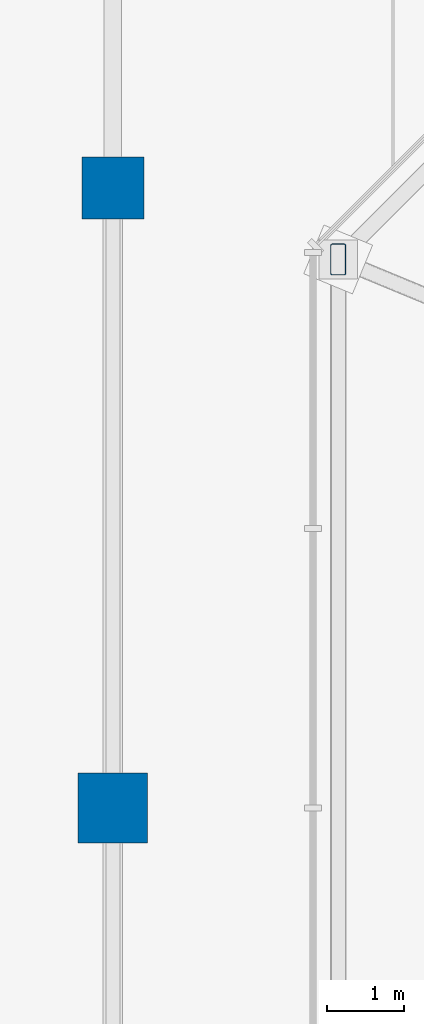
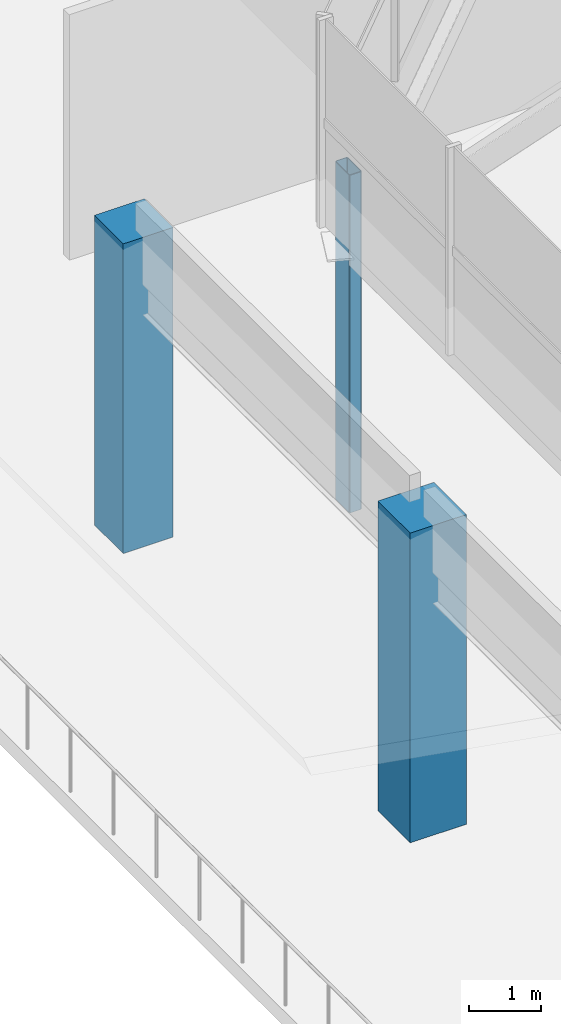
# One storey, part 2 of 30: 3 columns.
"""IFC4 building model written with IfcOpenShell, lengths in metres."""

from ifc_helpers import new_model, si_unit, direction, frame, origin, origin_2d, place, context, subcontext, project, spatial, rectangle, hollow_rectangle, extrude, material, material_profile, profile_set, type_object, element, save


model = new_model("IFC4")

# Units and contexts
model_context = context("Model", 3, precision=1e-05, world=origin(), true_north=direction((0.0, 1.0)))
body_context = subcontext(model_context, "Body", "Model", "MODEL_VIEW")
ifc_project = project(units=[si_unit("LENGTHUNIT", "METRE"), si_unit("AREAUNIT", "SQUARE_METRE"), si_unit("VOLUMEUNIT", "CUBIC_METRE"), si_unit("PLANEANGLEUNIT", "RADIAN"), si_unit("MASSUNIT", "GRAM", prefix="KILO")], contexts=[model_context])

# Site, building, storey
site_placement = place(None, origin())
site = spatial("IfcSite", under=ifc_project, at=site_placement, CompositionType="ELEMENT")
building_placement = place(site_placement, origin())
building = spatial("IfcBuilding", under=site, at=building_placement, Name="Brisemont Oceanarium", CompositionType="ELEMENT")
storey_placement = place(building_placement, frame((0.0, 0.0, 19.800048828125)))
storey = spatial("IfcBuildingStorey", under=building, at=storey_placement, Name="L04", CompositionType="ELEMENT", Elevation=19.800048828125)

# Columns
ifc_material_1 = material(Name="Structural Steel ASTM A500 Gr.C", Category="steel")
ifc_material_profile_1 = material_profile(ifc_material_1, hollow_rectangle(XDim=0.202880859375, YDim=0.406005859375, WallThickness=0.01171875, InnerFilletRadius=0.01220703125, OuterFilletRadius=0.02392578125, at=origin_2d()), Name="HSS16X8X1/2")
ifc_profile_set_1 = profile_set([ifc_material_profile_1], Name="Structural Steel ASTM A500 Gr.C")
column_type_1 = type_object("IfcColumnType", Name="COL-HSS16X8", PredefinedType="COLUMN", material=ifc_profile_set_1)
column_1_placement = place(storey_placement, frame((66.908203125, 63.07958984375, 0.0), z_axis=(0.0, 0.0, 1.0), x_axis=(1.0, 0.0, 0.0)))
element("IfcColumn", 1, at=column_1_placement, inside=storey, type_object=column_type_1, Name="V1 dome drum pier L04.4", PredefinedType="COLUMN", context=body_context, shape_type="SweptSolid", body=[
    extrude(hollow_rectangle(XDim=0.202880859375, YDim=0.406005859375, WallThickness=0.01171875, InnerFilletRadius=0.01220703125, OuterFilletRadius=0.02392578125, at=origin_2d()), origin(), (0.0, 0.0, 1.0), 5.719970703125),
])
ifc_material_2 = material(Name="Concrete C40/50", Category="concrete")
ifc_material_profile_2 = material_profile(ifc_material_2, rectangle(XDim=0.800048828125, YDim=0.800048828125, at=origin_2d()), Name="RC-COL-800X800")
ifc_profile_set_2 = profile_set([ifc_material_profile_2], Name="Concrete C40/50")
column_type_2 = type_object("IfcColumnType", Name="COL-RC800", PredefinedType="COLUMN", material=ifc_profile_set_2)
column_2_placement = place(storey_placement, frame((64.0, 64.0, 0.0), z_axis=(0.0, 0.0, 1.0), x_axis=(0.0, 1.0, 0.0)))
element("IfcColumn", 2, at=column_2_placement, inside=storey, type_object=column_type_2, Name="V1 L04 column (1,4)", PredefinedType="COLUMN", context=body_context, shape_type="SweptSolid", body=[
    extrude(rectangle(XDim=0.800048828125, YDim=0.800048828125, at=origin_2d()), origin(), (0.0, 0.0, 1.0), 5.245361328125),
])
ifc_material_3 = material(Name="Concrete C40/50", Category="concrete")
ifc_material_profile_3 = material_profile(ifc_material_3, rectangle(XDim=0.89990234375, YDim=0.89990234375, at=origin_2d()), Name="RC-COL-900X900")
ifc_profile_set_3 = profile_set([ifc_material_profile_3], Name="Concrete C40/50")
column_type_3 = type_object("IfcColumnType", Name="COL-RC900", PredefinedType="COLUMN", material=ifc_profile_set_3)
column_3_placement = place(storey_placement, frame((64.0, 56.0, 0.0), z_axis=(0.0, 0.0, 1.0), x_axis=(1.0, 0.0, 0.0)))
element("IfcColumn", 3, at=column_3_placement, inside=storey, type_object=column_type_3, Name="V1 L04 column (1,3)", PredefinedType="COLUMN", context=body_context, shape_type="SweptSolid", body=[
    extrude(rectangle(XDim=0.89990234375, YDim=0.89990234375, at=origin_2d()), origin(), (0.0, 0.0, 1.0), 5.245361328125),
])

save(model, "model.ifc")
